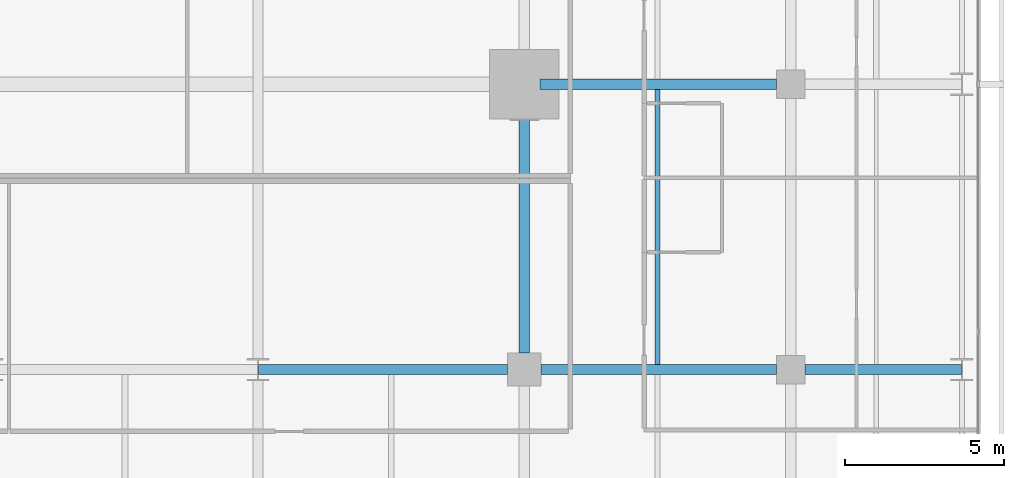
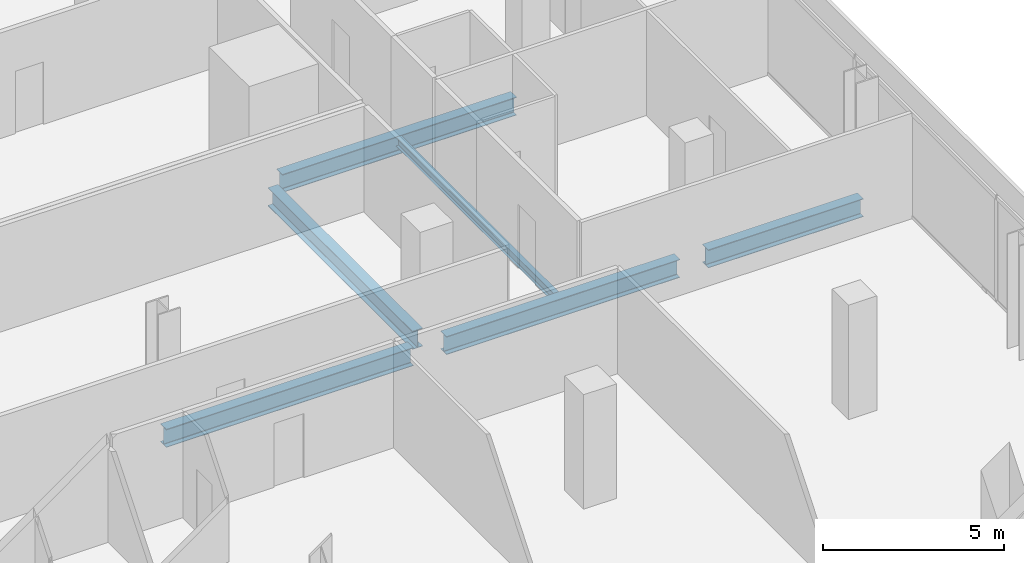
# One storey, part 18 of 39: 6 beams.
"""IFC4 building model written with IfcOpenShell, lengths in metres."""

from ifc_helpers import new_model, si_unit, direction, frame, origin, origin_2d, place, context, subcontext, project, spatial, i_section, extrude, material, material_profile, profile_set, type_object, element, save


model = new_model("IFC4")

# Units and contexts
model_context = context("Model", 3, precision=1e-05, world=origin(), true_north=direction((0.0, 1.0)))
body_context = subcontext(model_context, "Body", "Model", "MODEL_VIEW")
ifc_project = project(units=[si_unit("LENGTHUNIT", "METRE"), si_unit("AREAUNIT", "SQUARE_METRE"), si_unit("VOLUMEUNIT", "CUBIC_METRE"), si_unit("PLANEANGLEUNIT", "RADIAN"), si_unit("MASSUNIT", "GRAM", prefix="KILO")], contexts=[model_context])

# Site, building, storey
site_placement = place(None, origin())
site = spatial("IfcSite", under=ifc_project, at=site_placement, CompositionType="ELEMENT")
building_placement = place(site_placement, origin())
building = spatial("IfcBuilding", under=site, at=building_placement, Name="Maruvema Waterfront Hotel and Observation Tower", CompositionType="ELEMENT")
storey_placement = place(building_placement, frame((0.0, 0.0, 111.64990234375)))
storey = spatial("IfcBuildingStorey", under=building, at=storey_placement, Name="L27", CompositionType="ELEMENT", Elevation=111.64990234375)

# Beams
ifc_material_1 = material(Name="Steel ASTM A572 Grade 50", Category="steel")
ifc_material_profile_1 = material_profile(ifc_material_1, i_section(OverallWidth=0.323974609375, OverallDepth=0.611083984375, WebThickness=0.0126953125, FlangeThickness=0.01904296875, FilletRadius=0.01806640625, at=origin_2d()), Name="W610x155.0")
ifc_profile_set_1 = profile_set([ifc_material_profile_1], Name="Steel ASTM A572 Grade 50")
beam_type_1 = type_object("IfcBeamType", Name="Primary Floor Girder W610x155.0", PredefinedType="BEAM", material=ifc_profile_set_1)
beam_1_placement = place(storey_placement, frame((42.013916015625, 18.0, -0.54541015625), z_axis=(1.0, 0.0, 0.0), x_axis=(0.0, 1.0, 0.0)))
element("IfcBeam", 1, at=beam_1_placement, inside=storey, type_object=beam_type_1, Name="L27 Floor Girder EW-17", PredefinedType="BEAM", context=body_context, shape_type="SweptSolid", body=[
    extrude(i_section(OverallWidth=0.323974609375, OverallDepth=0.611083984375, WebThickness=0.0126953125, FlangeThickness=0.01904296875, FilletRadius=0.01806640625, at=origin_2d()), origin(), (0.0, 0.0, 1.0), 7.861083984375),
])
beam_2_placement = place(storey_placement, frame((50.925048828125, 18.0, -0.54541015625), z_axis=(1.0, 0.0, 0.0), x_axis=(0.0, 1.0, 0.0)))
element("IfcBeam", 2, at=beam_2_placement, inside=storey, type_object=beam_type_1, Name="L27 Floor Girder EW-18", PredefinedType="BEAM", context=body_context, shape_type="SweptSolid", body=[
    extrude(i_section(OverallWidth=0.323974609375, OverallDepth=0.611083984375, WebThickness=0.0126953125, FlangeThickness=0.01904296875, FilletRadius=0.01806640625, at=origin_2d()), origin(), (0.0, 0.0, 1.0), 7.425048828125),
])
beam_3_placement = place(storey_placement, frame((59.25, 18.0, -0.54541015625), z_axis=(1.0, 0.0, 0.0), x_axis=(0.0, 1.0, 0.0)))
element("IfcBeam", 3, at=beam_3_placement, inside=storey, type_object=beam_type_1, Name="L27 Floor Girder EW-19", PredefinedType="BEAM", context=body_context, shape_type="SweptSolid", body=[
    extrude(i_section(OverallWidth=0.323974609375, OverallDepth=0.611083984375, WebThickness=0.0126953125, FlangeThickness=0.01904296875, FilletRadius=0.01806640625, at=origin_2d()), origin(), (0.0, 0.0, 1.0), 4.93603515625),
])
beam_4_placement = place(storey_placement, frame((50.89990234375, 27.0, -0.54541015625), z_axis=(1.0, 0.0, 0.0), x_axis=(0.0, 1.0, 0.0)))
element("IfcBeam", 4, at=beam_4_placement, inside=storey, type_object=beam_type_1, Name="L27 Floor Girder EW-23", PredefinedType="BEAM", context=body_context, shape_type="SweptSolid", body=[
    extrude(i_section(OverallWidth=0.323974609375, OverallDepth=0.611083984375, WebThickness=0.0126953125, FlangeThickness=0.01904296875, FilletRadius=0.01806640625, at=origin_2d()), origin(), (0.0, 0.0, 1.0), 7.4501953125),
])
beam_5_placement = place(storey_placement, frame((50.39990234375, 18.52490234375, -0.54541015625), z_axis=(0.0, 1.0, 0.0), x_axis=(-1.0, 0.0, 0.0)))
element("IfcBeam", 5, at=beam_5_placement, inside=storey, type_object=beam_type_1, Name="L27 Floor Girder NS-24", PredefinedType="BEAM", context=body_context, shape_type="SweptSolid", body=[
    extrude(i_section(OverallWidth=0.323974609375, OverallDepth=0.611083984375, WebThickness=0.0126953125, FlangeThickness=0.01904296875, FilletRadius=0.01806640625, at=origin_2d()), origin(), (0.0, 0.0, 1.0), 7.97509765625),
])
ifc_material_2 = material(Name="Steel ASTM A572 Grade 50", Category="steel")
ifc_material_profile_2 = material_profile(ifc_material_2, i_section(OverallWidth=0.1650390625, OverallDepth=0.31005859375, WebThickness=0.005859375, FlangeThickness=0.009765625, FilletRadius=0.012939453125, at=origin_2d()), Name="W310x38.7")
ifc_profile_set_2 = profile_set([ifc_material_profile_2], Name="Steel ASTM A572 Grade 50")
beam_type_2 = type_object("IfcBeamType", Name="Secondary Floor Joist W310x38.7", PredefinedType="JOIST", material=ifc_profile_set_2)
beam_6_placement = place(storey_placement, frame((54.60009765625, 18.162109375, -0.39501953125), z_axis=(0.0, 1.0, 0.0), x_axis=(-1.0, 0.0, 0.0)))
element("IfcBeam", 6, at=beam_6_placement, inside=storey, type_object=beam_type_2, Name="L27 Secondary Floor Joist JS-18", PredefinedType="JOIST", context=body_context, shape_type="SweptSolid", body=[
    extrude(i_section(OverallWidth=0.1650390625, OverallDepth=0.31005859375, WebThickness=0.005859375, FlangeThickness=0.009765625, FilletRadius=0.012939453125, at=origin_2d()), origin(), (0.0, 0.0, 1.0), 8.67578125),
])

save(model, "model.ifc")
